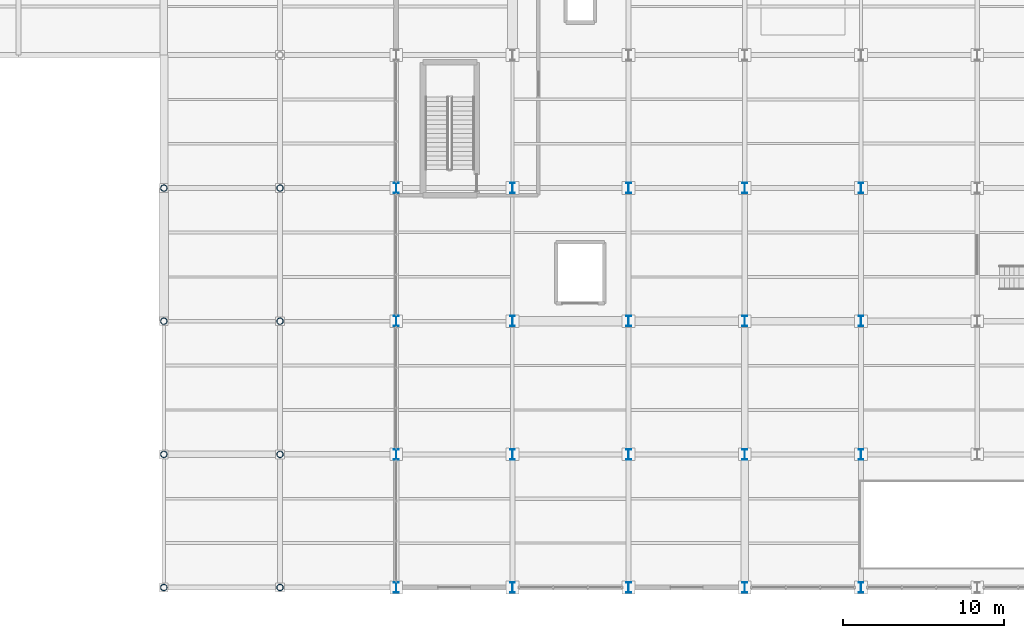
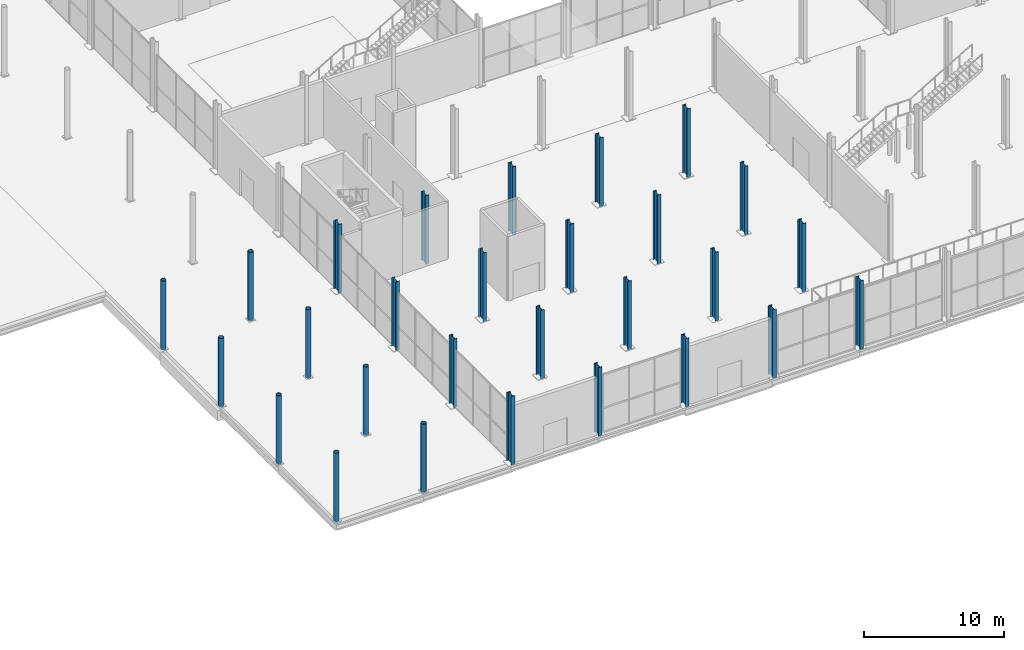
# One storey, part 3 of 144: 28 columns.
"""IFC4 building model written with IfcOpenShell, lengths in metres."""

from ifc_helpers import new_model, si_unit, direction, frame, origin, origin_2d, place, context, subcontext, project, spatial, hollow_circle, i_section, extrude, material, material_profile, profile_set, type_object, element, save


model = new_model("IFC4")

# Units and contexts
model_context = context("Model", 3, precision=1e-05, world=origin(), true_north=direction((0.0, 1.0)))
body_context = subcontext(model_context, "Body", "Model", "MODEL_VIEW")
ifc_project = project(units=[si_unit("LENGTHUNIT", "METRE"), si_unit("AREAUNIT", "SQUARE_METRE"), si_unit("VOLUMEUNIT", "CUBIC_METRE"), si_unit("PLANEANGLEUNIT", "RADIAN"), si_unit("MASSUNIT", "GRAM", prefix="KILO")], contexts=[model_context])

# Site, building, storey
site_placement = place(None, origin())
site = spatial("IfcSite", under=ifc_project, at=site_placement, CompositionType="ELEMENT")
building_placement = place(site_placement, origin())
building = spatial("IfcBuilding", under=site, at=building_placement, Name="Sundgate Opera House", CompositionType="ELEMENT")
storey_placement = place(building_placement, origin())
storey = spatial("IfcBuildingStorey", under=building, at=storey_placement, Name="L00", CompositionType="ELEMENT", Elevation=0.0)

# Columns
ifc_material_1 = material(Name="Steel S355ML", Category="steel")
ifc_material_profile_1 = material_profile(ifc_material_1, hollow_circle(Radius=0.203125, WallThickness=0.02001953125, at=origin_2d()), Name="CHS 406.4x20.0")
ifc_profile_set_1 = profile_set([ifc_material_profile_1], Name="Steel S355ML")
column_type_1 = type_object("IfcColumnType", Name="CL-CHS-406", PredefinedType="COLUMN", material=ifc_profile_set_1)
for number, where, z_axis, x_axis, name in (
    (1, (81.0, 0.0, 0.0), (0.0, 0.0, 1.0), (1.0, 0.0, 0.0), "L00 Column C0518"),
    (2, (81.0, 8.25, 0.0), (0.0, 0.0, 1.0), (1.0, 0.0, 0.0), "L00 Column C0521"),
    (3, (81.0, 16.5, 0.0), (0.0, 0.0, 1.0), (1.0, 0.0, 0.0), "L00 Column C0524"),
    (4, (81.0, 24.75, 0.0), (0.0, 0.0, 1.0), (1.0, 0.0, 0.0), "L00 Column C0527"),
    (5, (88.199951171875, 0.0, 0.0), (0.0, 0.0, 1.0), (1.0, 0.0, 0.0), "L00 Column C0581"),
    (6, (88.199951171875, 8.25, 0.0), (0.0, 0.0, 1.0), (1.0, 0.0, 0.0), "L00 Column C0584"),
    (7, (88.199951171875, 16.5, 0.0), (0.0, 0.0, 1.0), (1.0, 0.0, 0.0), "L00 Column C0587"),
    (8, (88.199951171875, 24.75, 0.0), (0.0, 0.0, 1.0), (1.0, 0.0, 0.0), "L00 Column C0590"),
):
    element("IfcColumn", number, at=place(storey_placement, frame(where, z_axis=z_axis, x_axis=x_axis)), inside=storey, type_object=column_type_1, Name=name, PredefinedType="COLUMN", context=body_context, shape_type="SweptSolid", body=[
        extrude(hollow_circle(Radius=0.203125, WallThickness=0.02001953125, at=origin_2d()), origin(), (0.0, 0.0, 1.0), 6.0),
    ])
ifc_material_2 = material(Name="Steel S355J2", Category="steel")
ifc_material_profile_2 = material_profile(ifc_material_2, i_section(OverallWidth=0.300048828125, OverallDepth=0.64990234375, WebThickness=0.01611328125, FlangeThickness=0.031005859375, at=origin_2d()), Name="HEB 650")
ifc_profile_set_2 = profile_set([ifc_material_profile_2], Name="Steel S355J2")
column_type_2 = type_object("IfcColumnType", Name="CL-STL-650", PredefinedType="COLUMN", material=ifc_profile_set_2)
for number, where, z_axis, x_axis, name in (
    (9, (95.39990234375, 0.0, 0.0), (0.0, 0.0, 1.0), (1.0, 0.0, 0.0), "L00 Column C0626"),
    (10, (95.39990234375, 8.25, 0.0), (0.0, 0.0, 1.0), (1.0, 0.0, 0.0), "L00 Column C0629"),
    (11, (95.39990234375, 16.5, 0.0), (0.0, 0.0, 1.0), (1.0, 0.0, 0.0), "L00 Column C0633"),
    (12, (95.39990234375, 24.75, 0.0), (0.0, 0.0, 1.0), (1.0, 0.0, 0.0), "L00 Column C0637"),
    (13, (102.60009765625, 0.0, 0.0), (0.0, 0.0, 1.0), (1.0, 0.0, 0.0), "L00 Column C0694"),
    (14, (102.60009765625, 8.25, 0.0), (0.0, 0.0, 1.0), (1.0, 0.0, 0.0), "L00 Column C0696"),
    (15, (102.60009765625, 16.5, 0.0), (0.0, 0.0, 1.0), (1.0, 0.0, 0.0), "L00 Column C0700"),
    (16, (102.60009765625, 24.75, 0.0), (0.0, 0.0, 1.0), (1.0, 0.0, 0.0), "L00 Column C0704"),
    (17, (109.800048828125, 0.0, 0.0), (0.0, 0.0, 1.0), (1.0, 0.0, 0.0), "L00 Column C0758"),
    (18, (109.800048828125, 8.25, 0.0), (0.0, 0.0, 1.0), (1.0, 0.0, 0.0), "L00 Column C0760"),
    (19, (109.800048828125, 16.5, 0.0), (0.0, 0.0, 1.0), (1.0, 0.0, 0.0), "L00 Column C0764"),
    (20, (109.800048828125, 24.75, 0.0), (0.0, 0.0, 1.0), (1.0, 0.0, 0.0), "L00 Column C0768"),
    (21, (117.0, 0.0, 0.0), (0.0, 0.0, 1.0), (1.0, 0.0, 0.0), "L00 Column C0819"),
    (22, (117.0, 8.25, 0.0), (0.0, 0.0, 1.0), (1.0, 0.0, 0.0), "L00 Column C0821"),
    (23, (117.0, 16.5, 0.0), (0.0, 0.0, 1.0), (1.0, 0.0, 0.0), "L00 Column C0825"),
    (24, (117.0, 24.75, 0.0), (0.0, 0.0, 1.0), (1.0, 0.0, 0.0), "L00 Column C0829"),
    (25, (124.199951171875, 0.0, 0.0), (0.0, 0.0, 1.0), (1.0, 0.0, 0.0), "L00 Column C0883"),
    (26, (124.199951171875, 8.25, 0.0), (0.0, 0.0, 1.0), (1.0, 0.0, 0.0), "L00 Column C0885"),
    (27, (124.199951171875, 16.5, 0.0), (0.0, 0.0, 1.0), (1.0, 0.0, 0.0), "L00 Column C0889"),
    (28, (124.199951171875, 24.75, 0.0), (0.0, 0.0, 1.0), (1.0, 0.0, 0.0), "L00 Column C0893"),
):
    element("IfcColumn", number, at=place(storey_placement, frame(where, z_axis=z_axis, x_axis=x_axis)), inside=storey, type_object=column_type_2, Name=name, PredefinedType="COLUMN", context=body_context, shape_type="SweptSolid", body=[
        extrude(i_section(OverallWidth=0.300048828125, OverallDepth=0.64990234375, WebThickness=0.01611328125, FlangeThickness=0.031005859375, at=origin_2d()), origin(), (0.0, 0.0, 1.0), 6.0),
    ])

save(model, "model.ifc")
